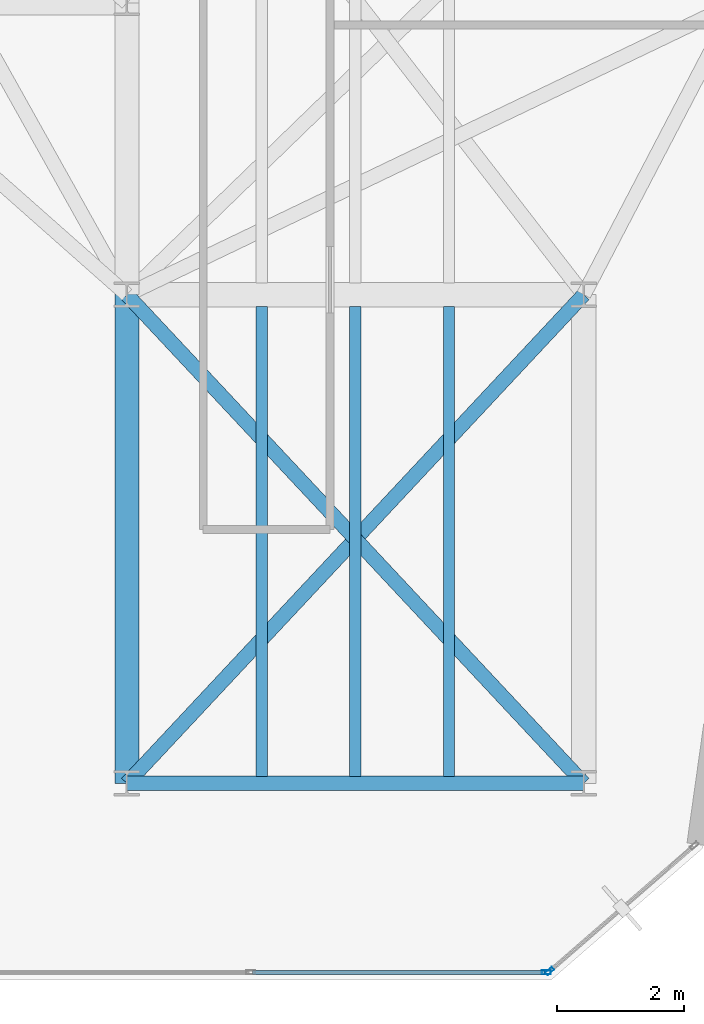
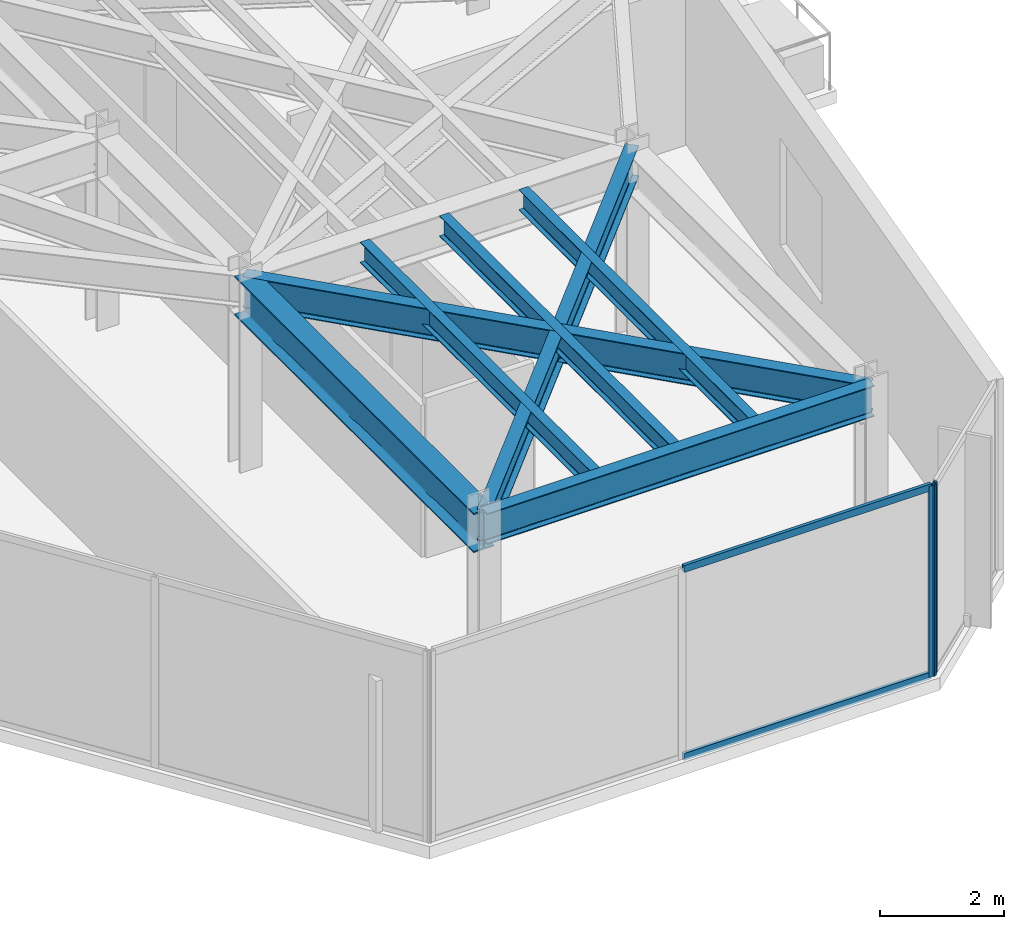
# One storey, part 17 of 27: 7 beams, 4 members, 2 elements without a shape of their own.
"""IFC4 building model written with IfcOpenShell, lengths in metres."""

from ifc_helpers import new_model, si_unit, direction, frame, origin, origin_2d, place, context, subcontext, project, spatial, hollow_rectangle, i_section, extrude, material, layer, layer_set, material_profile, profile_set, type_object, element, aggregate, save


model = new_model("IFC4")

# Units and contexts
model_context = context("Model", 3, precision=1e-05, world=origin(), true_north=direction((0.0, 1.0)))
body_context = subcontext(model_context, "Body", "Model", "MODEL_VIEW")
ifc_project = project(units=[si_unit("LENGTHUNIT", "METRE"), si_unit("AREAUNIT", "SQUARE_METRE"), si_unit("VOLUMEUNIT", "CUBIC_METRE"), si_unit("PLANEANGLEUNIT", "RADIAN"), si_unit("MASSUNIT", "GRAM", prefix="KILO")], contexts=[model_context])

# Site, building, storey
site_placement = place(None, origin())
site = spatial("IfcSite", under=ifc_project, at=site_placement, CompositionType="ELEMENT")
building_placement = place(site_placement, origin())
building = spatial("IfcBuilding", under=site, at=building_placement, Name="Kravanh Interchange Tower", CompositionType="ELEMENT")
storey_placement = place(building_placement, frame((0.0, 0.0, 196.5)))
storey = spatial("IfcBuildingStorey", under=building, at=storey_placement, Name="L47", CompositionType="ELEMENT", Elevation=196.5)

# Curtain wall, member
ifc_material_1 = material(Name="Anodised Bronze Aluminium", Category="aluminium")
ifc_layer = layer(ifc_material_1, 0.179931640625)
ifc_layer_set = layer_set([ifc_layer], Name="Unitised Curtain Wall System CW-Z3 Upper Office")
curtain_wall_type = type_object("IfcCurtainWallType", Name="Unitised Curtain Wall System CW-Z3 Upper Office", PredefinedType="NOTDEFINED", material=ifc_layer_set)
curtain_wall_1_placement = place(storey_placement, origin())
curtain_wall_1 = element("IfcCurtainWall", 1, at=curtain_wall_1_placement, inside=storey, type_object=curtain_wall_type, Name="L47 Unitised Curtain Wall CW-L47-02", PredefinedType="NOTDEFINED")
ifc_material_2 = material(Name="Anodised Bronze Aluminium", Category="aluminium")
ifc_material_profile_1 = material_profile(ifc_material_2, hollow_rectangle(XDim=0.06005859375, YDim=0.139892578125, WallThickness=0.00390625, at=origin_2d()), Name="ALU60X140X4")
ifc_profile_set_1 = profile_set([ifc_material_profile_1], Name="Anodised Bronze Aluminium")
member_type_1 = type_object("IfcMemberType", Name="Curtain Wall Mullion ALU60X140X4 Bronze", PredefinedType="MULLION", material=ifc_profile_set_1)
member_1_placement = place(storey_placement, frame((62.66357421875, 11.539794921875, 0.0), z_axis=(0.0, 0.0, 1.0), x_axis=(0.65605090137, -0.754716645379, 0.0)))
member_1 = element("IfcMember", 2, at=member_1_placement, type_object=member_type_1, Name="CW-Z3 mullion 2", PredefinedType="MULLION", context=body_context, shape_type="SweptSolid", body=[
    extrude(hollow_rectangle(XDim=0.06005859375, YDim=0.139892578125, WallThickness=0.00390625, at=origin_2d()), origin(), (0.0, 0.0, 1.0), 3.7548828125),
])
aggregate(curtain_wall_1, [member_1])

# Curtain wall, members
curtain_wall_2_placement = place(storey_placement, origin())
curtain_wall_2 = element("IfcCurtainWall", 3, at=curtain_wall_2_placement, inside=storey, type_object=curtain_wall_type, Name="L47 Unitised Curtain Wall CW-L47-03", PredefinedType="NOTDEFINED")
member_2_placement = place(storey_placement, frame((62.611083984375, 11.52001953125, 0.0), z_axis=(0.0, 0.0, 1.0), x_axis=(0.0, -1.0, 0.0)))
member_2 = element("IfcMember", 4, at=member_2_placement, type_object=member_type_1, Name="CW-Z3 mullion 1", PredefinedType="MULLION", context=body_context, shape_type="SweptSolid", body=[
    extrude(hollow_rectangle(XDim=0.06005859375, YDim=0.139892578125, WallThickness=0.00390625, at=origin_2d()), origin(), (0.0, 0.0, 1.0), 3.7548828125),
])
ifc_material_3 = material(Name="Anodised Bronze Aluminium", Category="aluminium")
ifc_material_profile_2 = material_profile(ifc_material_3, hollow_rectangle(XDim=0.06005859375, YDim=0.139892578125, WallThickness=0.00390625, at=origin_2d()), Name="ALU60X140X4")
ifc_profile_set_2 = profile_set([ifc_material_profile_2], Name="Anodised Bronze Aluminium")
member_type_2 = type_object("IfcMemberType", Name="Curtain Wall Transom ALU60X140X4 Bronze", PredefinedType="USERDEFINED", material=ifc_profile_set_2)
member_3_placement = place(storey_placement, frame((62.5810546875, 11.52001953125, 0.030029296875), z_axis=(-1.0, 0.0, 0.0), x_axis=(0.0, -1.0, 0.0)))
member_3 = element("IfcMember", 5, at=member_3_placement, type_object=member_type_2, Name="CW-Z3 transom 1.1", ObjectType="TRANSOM", PredefinedType="USERDEFINED", context=body_context, shape_type="SweptSolid", body=[
    extrude(hollow_rectangle(XDim=0.06005859375, YDim=0.139892578125, WallThickness=0.00390625, at=origin_2d()), origin(), (0.0, 0.0, 1.0), 4.59912109375),
])
member_4_placement = place(storey_placement, frame((62.5810546875, 11.52001953125, 3.72509765625), z_axis=(-1.0, 0.0, 0.0), x_axis=(0.0, -1.0, 0.0)))
member_4 = element("IfcMember", 6, at=member_4_placement, type_object=member_type_2, Name="CW-Z3 transom 1.2", ObjectType="TRANSOM", PredefinedType="USERDEFINED", context=body_context, shape_type="SweptSolid", body=[
    extrude(hollow_rectangle(XDim=0.06005859375, YDim=0.139892578125, WallThickness=0.00390625, at=origin_2d()), origin(), (0.0, 0.0, 1.0), 4.59912109375),
])
aggregate(curtain_wall_2, [member_2, member_3, member_4])

# Beams
ifc_material_4 = material(Name="Structural Steel S355", Category="steel")
ifc_material_profile_3 = material_profile(ifc_material_4, i_section(OverallWidth=0.381103515625, OverallDepth=0.77294921875, WebThickness=0.0166015625, FlangeThickness=0.027099609375, FilletRadius=0.02490234375, at=origin_2d()), Name="W30X173")
ifc_profile_set_3 = profile_set([ifc_material_profile_3], Name="Structural Steel S355")
beam_type_1 = type_object("IfcBeamType", Name="Floor Beam W30X173 Structural Steel S355", PredefinedType="BEAM", material=ifc_profile_set_3)
beam_1_placement = place(storey_placement, frame((56.0, 14.5, 3.368408203125), z_axis=(0.0, 1.0, 0.0), x_axis=(-1.0, 0.0, 0.0)))
element("IfcBeam", 7, at=beam_1_placement, inside=storey, type_object=beam_type_1, Name="L47 Primary Floor Girder 87", PredefinedType="BEAM", context=body_context, shape_type="SweptSolid", body=[
    extrude(i_section(OverallWidth=0.381103515625, OverallDepth=0.77294921875, WebThickness=0.0166015625, FlangeThickness=0.027099609375, FilletRadius=0.02490234375, at=origin_2d()), origin(), (0.0, 0.0, 1.0), 7.699951171875),
])
ifc_material_5 = material(Name="Structural Steel S355", Category="steel")
ifc_material_profile_4 = material_profile(ifc_material_5, i_section(OverallWidth=0.177978515625, OverallDepth=0.406005859375, WebThickness=0.0078125, FlangeThickness=0.0126953125, FilletRadius=0.01611328125, at=origin_2d()), Name="W16X40")
ifc_profile_set_4 = profile_set([ifc_material_profile_4], Name="Structural Steel S355")
beam_type_2 = type_object("IfcBeamType", Name="Floor Joist W16X40 Structural Steel S355", PredefinedType="JOIST", material=ifc_profile_set_4)
for number, where, z_axis, x_axis, name in (
    (8, (58.125, 14.60888671875, 3.552001953125), (0.0, 1.0, 0.0), (-1.0, 0.0, 0.0), "L47 Secondary Floor Joist 4"),
    (9, (59.60009765625, 14.60888671875, 3.552001953125), (0.0, 1.0, 0.0), (-1.0, 0.0, 0.0), "L47 Secondary Floor Joist 5"),
    (10, (61.074951171875, 14.60888671875, 3.552001953125), (0.0, 1.0, 0.0), (-1.0, 0.0, 0.0), "L47 Secondary Floor Joist 6"),
):
    element("IfcBeam", number, at=place(storey_placement, frame(where, z_axis=z_axis, x_axis=x_axis)), inside=storey, type_object=beam_type_2, Name=name, PredefinedType="JOIST", context=body_context, shape_type="SweptSolid", body=[
        extrude(i_section(OverallWidth=0.177978515625, OverallDepth=0.406005859375, WebThickness=0.0078125, FlangeThickness=0.0126953125, FilletRadius=0.01611328125, at=origin_2d()), origin(), (0.0, 0.0, 1.0), 7.405517578125),
    ])
ifc_material_6 = material(Name="Structural Steel S355", Category="steel")
ifc_material_profile_5 = material_profile(ifc_material_6, i_section(OverallWidth=0.22802734375, OverallDepth=0.60791015625, WebThickness=0.01123046875, FlangeThickness=0.017333984375, FilletRadius=0.02197265625, at=origin_2d()), Name="W24X76")
ifc_profile_set_5 = profile_set([ifc_material_profile_5], Name="Structural Steel S355")
beam_type_3 = type_object("IfcBeamType", Name="Floor Spandrel W24X76 Structural Steel S355", PredefinedType="SPANDREL", material=ifc_profile_set_5)
beam_2_placement = place(storey_placement, frame((56.0, 14.5, 3.450927734375), z_axis=(1.0, 0.0, 0.0), x_axis=(0.0, 1.0, 0.0)))
element("IfcBeam", 11, at=beam_2_placement, inside=storey, type_object=beam_type_3, Name="L47 Perimeter Spandrel 86", PredefinedType="SPANDREL", context=body_context, shape_type="SweptSolid", body=[
    extrude(i_section(OverallWidth=0.22802734375, OverallDepth=0.60791015625, WebThickness=0.01123046875, FlangeThickness=0.017333984375, FilletRadius=0.02197265625, at=origin_2d()), origin(), (0.0, 0.0, 1.0), 7.199951171875),
])
for number, where, z_axis, x_axis, name in (
    (12, (56.0, 14.5, 3.450927734375), (0.682993762113, 0.73042420614, 0.0), (-0.73042420614, 0.682993762113, 0.0), "L47 Perimeter Spandrel 88"),
    (13, (63.199951171875, 14.5, 3.450927734375), (-0.682993762113, 0.73042420614, 0.0), (-0.73042420614, -0.682993762113, 0.0), "L47 Perimeter Spandrel 90"),
):
    element("IfcBeam", number, at=place(storey_placement, frame(where, z_axis=z_axis, x_axis=x_axis)), inside=storey, type_object=beam_type_3, Name=name, PredefinedType="SPANDREL", context=body_context, shape_type="SweptSolid", body=[
        extrude(i_section(OverallWidth=0.22802734375, OverallDepth=0.60791015625, WebThickness=0.01123046875, FlangeThickness=0.017333984375, FilletRadius=0.02197265625, at=origin_2d()), origin(), (0.0, 0.0, 1.0), 10.541748046875),
    ])

save(model, "model.ifc")
